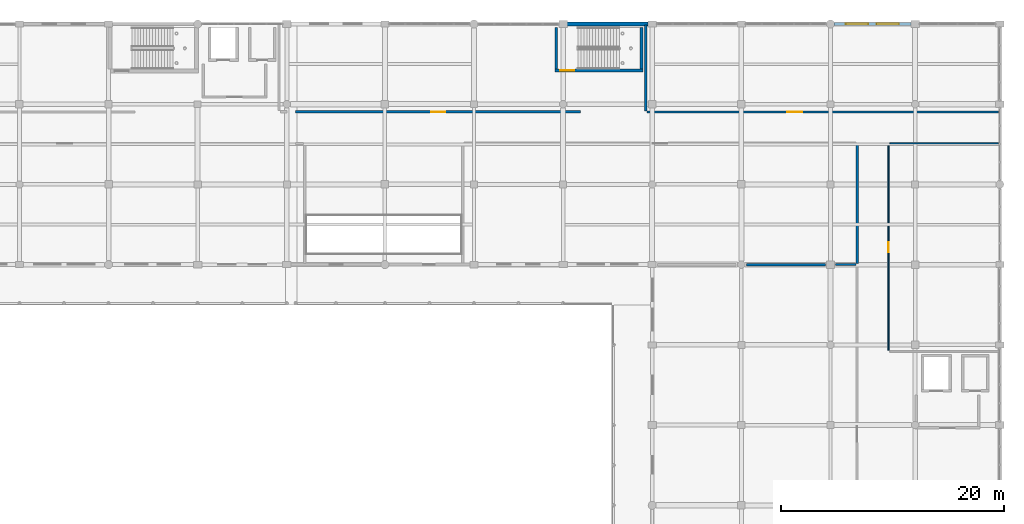
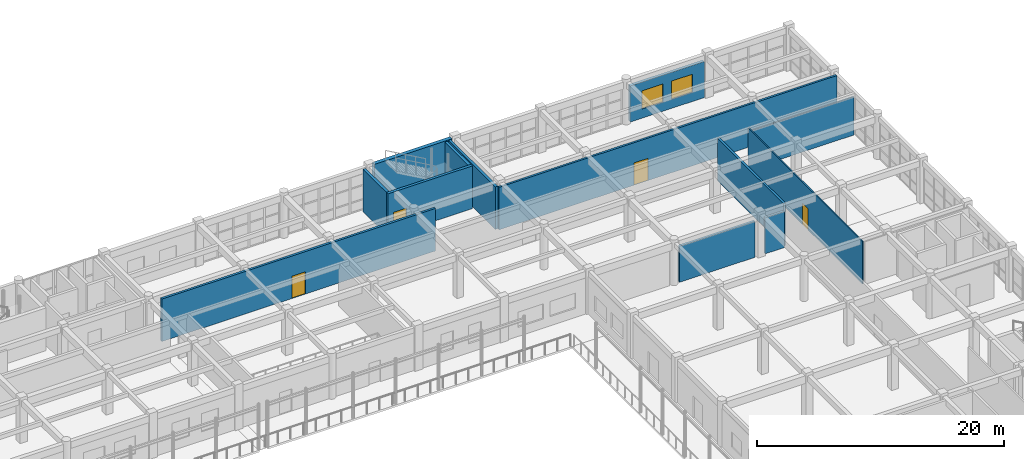
# One storey, part 137 of 160: 13 walls, 4 doors, 2 windows, 6 openings.
"""IFC4 building model written with IfcOpenShell, lengths in metres."""

from ifc_helpers import new_model, si_unit, direction, frame, frame_2d, origin, place, context, subcontext, project, spatial, rectangle, extrude, material, layer, layer_set, type_object, element, fill, save


model = new_model("IFC4")

# Units and contexts
model_context = context("Model", 3, precision=1e-05, world=origin(), true_north=direction((0.0, 1.0)))
body_context = subcontext(model_context, "Body", "Model", "MODEL_VIEW")
ifc_project = project(units=[si_unit("LENGTHUNIT", "METRE"), si_unit("AREAUNIT", "SQUARE_METRE"), si_unit("VOLUMEUNIT", "CUBIC_METRE"), si_unit("PLANEANGLEUNIT", "RADIAN"), si_unit("MASSUNIT", "GRAM", prefix="KILO")], contexts=[model_context])

# Site, building, storey
site_placement = place(None, origin())
site = spatial("IfcSite", under=ifc_project, at=site_placement, CompositionType="ELEMENT")
building_placement = place(site_placement, origin())
building = spatial("IfcBuilding", under=site, at=building_placement, Name="Kharva Crest Polytechnic", CompositionType="ELEMENT")
storey_placement = place(building_placement, frame((0.0, 0.0, 4.5)))
storey = spatial("IfcBuildingStorey", under=building, at=storey_placement, Name="L01", CompositionType="ELEMENT", Elevation=4.5)

# Wall, openings, windows
ifc_material_1 = material(Name="Kiln brick masonry", Category="masonry")
ifc_layer_1 = layer(ifc_material_1, 0.260009765625, Name="Kiln brick masonry")
ifc_layer_set_1 = layer_set([ifc_layer_1], Name="Kiln brick masonry")
wall_type_1 = type_object("IfcWallType", Name="WL-EXT-BRK-260", PredefinedType="SOLIDWALL", material=ifc_layer_set_1)
wall_1_placement = place(storey_placement, frame((176.030029296875, 122.0, 0.0), z_axis=(0.0, 0.0, 1.0), x_axis=(-1.0, 0.0, 0.0)))
wall_1 = element("IfcWall", 1, at=wall_1_placement, inside=storey, type_object=wall_type_1, Name="L01 Exterior Brick Wall 202", PredefinedType="SOLIDWALL", context=body_context, shape_type="SweptSolid", body=[
    extrude(rectangle(XDim=6.927734375, YDim=0.260009765625, at=frame_2d((3.4638671875, 0.0))), origin(), (0.0, 0.0, 1.0), 3.570068359375),
])
opening_1_placement = place(wall_1_placement, frame((1.0830078125, 0.0, 0.89990234375)))
opening_1 = element("IfcOpeningElement", 2, at=opening_1_placement, cuts=wall_1, Name="Opening W04", PredefinedType="OPENING", context=body_context, shape_type="SweptSolid", body=[
    extrude(rectangle(XDim=2.0, YDim=1.800048828125, at=frame_2d((1.0, 0.89990234375))), frame((0.0, 0.139892578125, 0.0), z_axis=(0.0, -1.0, 0.0), x_axis=(1.0, 0.0, 0.0)), (0.0, 0.0, 1.0), 0.280029296875),
])
opening_2_placement = place(wall_1_placement, frame((3.844970703125, 0.0, 0.89990234375)))
opening_2 = element("IfcOpeningElement", 3, at=opening_2_placement, cuts=wall_1, Name="Opening W04", PredefinedType="OPENING", context=body_context, shape_type="SweptSolid", body=[
    extrude(rectangle(XDim=2.0, YDim=1.800048828125, at=frame_2d((1.0, 0.89990234375))), frame((0.0, 0.139892578125, 0.0), z_axis=(0.0, -1.0, 0.0), x_axis=(1.0, 0.0, 0.0)), (0.0, 0.0, 1.0), 0.280029296875),
])
ifc_material_2 = material(Name="Anodised aluminium", Category="aluminium")
window_type = type_object("IfcWindowType", Name="WIN-ALU-2000X1800", PartitioningType="SINGLE_PANEL", PredefinedType="WINDOW", material=ifc_material_2)
window_1_placement = place(opening_1_placement, origin())
window_1 = element("IfcWindow", 4, at=window_1_placement, inside=storey, type_object=window_type, Name="L01 Exterior Window 266", OverallHeight=1.800048828125, OverallWidth=2.0, PartitioningType="SINGLE_PANEL", PredefinedType="WINDOW", context=body_context, shape_type="SweptSolid", body=[
    extrude(rectangle(XDim=2.0, YDim=1.800048828125, at=frame_2d((1.0, 0.89990234375))), frame((0.0, 0.030029296875, 0.0), z_axis=(0.0, -1.0, 0.0), x_axis=(1.0, 0.0, 0.0)), (0.0, 0.0, 1.0), 0.06005859375),
])
fill(opening_1, window_1)
window_2_placement = place(opening_2_placement, origin())
window_2 = element("IfcWindow", 5, at=window_2_placement, inside=storey, type_object=window_type, Name="L01 Exterior Window 267", OverallHeight=1.800048828125, OverallWidth=2.0, PartitioningType="SINGLE_PANEL", PredefinedType="WINDOW", context=body_context, shape_type="SweptSolid", body=[
    extrude(rectangle(XDim=2.0, YDim=1.800048828125, at=frame_2d((1.0, 0.89990234375))), frame((0.0, 0.030029296875, 0.0), z_axis=(0.0, -1.0, 0.0), x_axis=(1.0, 0.0, 0.0)), (0.0, 0.0, 1.0), 0.06005859375),
])
fill(opening_2, window_2)

# Wall
ifc_layer_2 = layer(ifc_material_1, 0.35009765625, Name="Kiln brick masonry")
ifc_layer_set_2 = layer_set([ifc_layer_2], Name="Kiln brick masonry")
wall_type_2 = type_object("IfcWallType", Name="WL-EXT-BRK-350", PredefinedType="SOLIDWALL", material=ifc_layer_set_2)
wall_2_placement = place(storey_placement, frame((152.429931640625, 122.0, 0.0), z_axis=(0.0, 0.0, 1.0), x_axis=(-1.0, 0.0, 0.0)))
element("IfcWall", 6, at=wall_2_placement, inside=storey, type_object=wall_type_2, Name="L01 Exterior Brick Wall 203", PredefinedType="SOLIDWALL", context=body_context, shape_type="SweptSolid", body=[
    extrude(rectangle(XDim=7.260009765625, YDim=0.35009765625, at=frame_2d((3.6298828125, 0.0))), origin(), (0.0, 0.0, 1.0), 4.219970703125),
])

# Wall, opening, door
ifc_layer_3 = layer(ifc_material_1, 0.110107421875, Name="Kiln brick masonry")
ifc_layer_set_3 = layer_set([ifc_layer_3], Name="Kiln brick masonry")
wall_type_3 = type_object("IfcWallType", Name="WL-PART-110", PredefinedType="PARTITIONING", material=ifc_layer_set_3)
wall_3_placement = place(storey_placement, frame((174.010009765625, 92.7099609375, 0.0), z_axis=(0.0, 0.0, 1.0), x_axis=(0.0, 1.0, 0.0)))
wall_3 = element("IfcWall", 7, at=wall_3_placement, inside=storey, type_object=wall_type_3, Name="L01 Interior Partition 197", PredefinedType="PARTITIONING", context=body_context, shape_type="SweptSolid", body=[
    extrude(rectangle(XDim=18.47998046875, YDim=0.110107421875, at=frame_2d((9.239990234375, 0.0))), origin(), (0.0, 0.0, 1.0), 4.199951171875),
])
opening_3_placement = place(wall_3_placement, frame((8.784912109375, 0.0, 0.0)))
opening_3 = element("IfcOpeningElement", 8, at=opening_3_placement, cuts=wall_3, Name="Opening ID15", PredefinedType="OPENING", context=body_context, shape_type="SweptSolid", body=[
    extrude(rectangle(XDim=0.909912109375, YDim=2.10009765625, at=frame_2d((0.455078125, 1.050048828125))), frame((0.0, 0.06494140625, 0.0), z_axis=(0.0, -1.0, 0.0), x_axis=(1.0, 0.0, 0.0)), (0.0, 0.0, 1.0), 0.130126953125),
])
ifc_material_3 = material(Name="Teak timber", Category="wood")
door_type_1 = type_object("IfcDoorType", Name="DR-WC-910X2100", OperationType="NOTDEFINED", PredefinedType="DOOR", material=ifc_material_3)
door_1_placement = place(opening_3_placement, origin())
door_1 = element("IfcDoor", 9, at=door_1_placement, inside=storey, type_object=door_type_1, Name="L01 North East Washrooms and Accessible WC L01 Door", OperationType="SINGLE_SWING_LEFT", OverallHeight=2.10009765625, OverallWidth=0.909912109375, PredefinedType="DOOR", context=body_context, shape_type="SweptSolid", body=[
    extrude(rectangle(XDim=0.909912109375, YDim=2.10009765625, at=frame_2d((0.455078125, 1.050048828125))), frame((0.0, 0.02490234375, 0.0), z_axis=(0.0, -1.0, 0.0), x_axis=(1.0, 0.0, 0.0)), (0.0, 0.0, 1.0), 0.050048828125),
])
fill(opening_3, door_1)

# Walls
ifc_layer_4 = layer(ifc_material_1, 0.1201171875, Name="Kiln brick masonry")
ifc_layer_set_4 = layer_set([ifc_layer_4], Name="Kiln brick masonry")
wall_type_4 = type_object("IfcWallType", Name="WL-PART-120", PredefinedType="PARTITIONING", material=ifc_layer_set_4)
wall_4_placement = place(storey_placement, frame((174.1201171875, 111.300048828125, 0.0), z_axis=(0.0, 0.0, 1.0), x_axis=(1.0, 0.0, 0.0)))
element("IfcWall", 10, at=wall_4_placement, inside=storey, type_object=wall_type_4, Name="L01 Interior Partition 196", PredefinedType="PARTITIONING", context=body_context, shape_type="SweptSolid", body=[
    extrude(rectangle(XDim=9.769775390625, YDim=0.1201171875, at=frame_2d((4.884765625, 0.0))), origin(), (0.0, 0.0, 1.0), 3.780029296875),
])
ifc_layer_5 = layer(ifc_material_1, 0.18994140625, Name="Kiln brick masonry")
ifc_layer_set_5 = layer_set([ifc_layer_5], Name="Kiln brick masonry")
wall_type_5 = type_object("IfcWallType", Name="WL-PART-190", PredefinedType="PARTITIONING", material=ifc_layer_set_5)
wall_5_placement = place(storey_placement, frame((169.27001953125, 100.39990234375, 0.0), z_axis=(0.0, 0.0, 1.0), x_axis=(1.0, 0.0, 0.0)))
element("IfcWall", 11, at=wall_5_placement, inside=storey, type_object=wall_type_5, Name="L01 Interior Partition 179", PredefinedType="PARTITIONING", context=body_context, shape_type="SweptSolid", body=[
    extrude(rectangle(XDim=1.81005859375, YDim=0.18994140625, at=frame_2d((0.905029296875, 0.0))), origin(), (0.0, 0.0, 1.0), 3.570068359375),
])

# Wall, opening, door
wall_6_placement = place(storey_placement, frame((152.31005859375, 114.10009765625, 0.0), z_axis=(0.0, 0.0, 1.0), x_axis=(1.0, 0.0, 0.0)))
wall_6 = element("IfcWall", 12, at=wall_6_placement, inside=storey, type_object=wall_type_5, Name="L01 Interior Partition 187", PredefinedType="PARTITIONING", context=body_context, shape_type="SweptSolid", body=[
    extrude(rectangle(XDim=31.579833984375, YDim=0.18994140625, at=frame_2d((15.7900390625, 0.0))), origin(), (0.0, 0.0, 1.0), 4.199951171875),
])
opening_4_placement = place(wall_6_placement, frame((12.589111328125, 0.0, 0.0)))
opening_4 = element("IfcOpeningElement", 13, at=opening_4_placement, cuts=wall_6, Name="Opening ID6", PredefinedType="OPENING", context=body_context, shape_type="SweptSolid", body=[
    extrude(rectangle(XDim=1.35009765625, YDim=2.199951171875, at=frame_2d((0.675048828125, 1.10009765625))), frame((0.0, 0.10498046875, 0.0), z_axis=(0.0, -1.0, 0.0), x_axis=(1.0, 0.0, 0.0)), (0.0, 0.0, 1.0), 0.2099609375),
])
door_type_2 = type_object("IfcDoorType", Name="DR-LAB-1350X2200", OperationType="NOTDEFINED", PredefinedType="DOOR", material=ifc_material_3)
door_2_placement = place(opening_4_placement, origin())
door_2 = element("IfcDoor", 14, at=door_2_placement, inside=storey, type_object=door_type_2, Name="L01 Instrumentation Laboratory Door", OperationType="SINGLE_SWING_RIGHT", OverallHeight=2.199951171875, OverallWidth=1.35009765625, PredefinedType="DOOR", context=body_context, shape_type="SweptSolid", body=[
    extrude(rectangle(XDim=1.35009765625, YDim=2.199951171875, at=frame_2d((0.675048828125, 1.10009765625))), frame((0.0, 0.02490234375, 0.0), z_axis=(0.0, -1.0, 0.0), x_axis=(1.0, 0.0, 0.0)), (0.0, 0.0, 1.0), 0.050048828125),
])
fill(opening_4, door_2)

# Walls
ifc_layer_6 = layer(ifc_material_1, 0.205078125, Name="Kiln brick masonry")
ifc_layer_set_6 = layer_set([ifc_layer_6], Name="Kiln brick masonry")
wall_type_6 = type_object("IfcWallType", Name="WL-PART-205", PredefinedType="PARTITIONING", material=ifc_layer_set_6)
wall_7_placement = place(storey_placement, frame((161.260009765625, 100.39990234375, 0.0), z_axis=(0.0, 0.0, 1.0), x_axis=(1.0, 0.0, 0.0)))
element("IfcWall", 15, at=wall_7_placement, inside=storey, type_object=wall_type_6, Name="L01 Interior Partition 178", PredefinedType="PARTITIONING", context=body_context, shape_type="SweptSolid", body=[
    extrude(rectangle(XDim=7.070068359375, YDim=0.205078125, at=frame_2d((3.53515625, 0.0))), origin(), (0.0, 0.0, 1.0), 3.56005859375),
])
wall_8_placement = place(storey_placement, frame((171.18994140625, 100.510009765625, 0.0), z_axis=(0.0, 0.0, 1.0), x_axis=(0.0, 1.0, 0.0)))
element("IfcWall", 16, at=wall_8_placement, inside=storey, type_object=wall_type_6, Name="L01 Interior Partition 182", PredefinedType="PARTITIONING", context=body_context, shape_type="SweptSolid", body=[
    extrude(rectangle(XDim=10.669921875, YDim=0.205078125, at=frame_2d((5.3349609375, 0.0))), origin(), (0.0, 0.0, 1.0), 4.199951171875),
])

# Wall, opening, door
ifc_layer_7 = layer(ifc_material_1, 0.215087890625, Name="Kiln brick masonry")
ifc_layer_set_7 = layer_set([ifc_layer_7], Name="Kiln brick masonry")
wall_type_7 = type_object("IfcWallType", Name="WL-PART-215", PredefinedType="PARTITIONING", material=ifc_layer_set_7)
wall_9_placement = place(storey_placement, frame((120.800048828125, 114.110107421875, 0.0), z_axis=(0.0, 0.0, 1.0), x_axis=(1.0, 0.0, 0.0)))
wall_9 = element("IfcWall", 17, at=wall_9_placement, inside=storey, type_object=wall_type_7, Name="L01 Interior Partition 185 E", PredefinedType="PARTITIONING", context=body_context, shape_type="SweptSolid", body=[
    extrude(rectangle(XDim=25.579833984375, YDim=0.215087890625, at=frame_2d((12.7900390625, 0.0))), origin(), (0.0, 0.0, 1.0), 4.199951171875),
])
opening_5_placement = place(wall_9_placement, frame((12.14990234375, 0.0, 0.0)))
opening_5 = element("IfcOpeningElement", 18, at=opening_5_placement, cuts=wall_9, Name="Opening ID7", PredefinedType="OPENING", context=body_context, shape_type="SweptSolid", body=[
    extrude(rectangle(XDim=1.280029296875, YDim=2.199951171875, at=frame_2d((0.64013671875, 1.10009765625))), frame((0.0, 0.117431640625, 0.0), z_axis=(0.0, -1.0, 0.0), x_axis=(1.0, 0.0, 0.0)), (0.0, 0.0, 1.0), 0.235107421875),
])
door_type_3 = type_object("IfcDoorType", Name="DR-LAB-1280X2200", OperationType="NOTDEFINED", PredefinedType="DOOR", material=ifc_material_3)
door_3_placement = place(opening_5_placement, origin())
door_3 = element("IfcDoor", 19, at=door_3_placement, inside=storey, type_object=door_type_3, Name="L01 Bioprocess Laboratory Door", OperationType="SINGLE_SWING_LEFT", OverallHeight=2.199951171875, OverallWidth=1.280029296875, PredefinedType="DOOR", context=body_context, shape_type="SweptSolid", body=[
    extrude(rectangle(XDim=1.280029296875, YDim=2.199951171875, at=frame_2d((0.64013671875, 1.10009765625))), frame((0.0, 0.02490234375, 0.0), z_axis=(0.0, -1.0, 0.0), x_axis=(1.0, 0.0, 0.0)), (0.0, 0.0, 1.0), 0.050048828125),
])
fill(opening_5, door_3)

# Wall
ifc_layer_8 = layer(ifc_material_1, 0.22509765625, Name="Kiln brick masonry")
ifc_layer_set_8 = layer_set([ifc_layer_8], Name="Kiln brick masonry")
wall_type_8 = type_object("IfcWallType", Name="WL-PART-225", PredefinedType="PARTITIONING", material=ifc_layer_set_8)
wall_10_placement = place(storey_placement, frame((152.199951171875, 114.2099609375, 0.0), z_axis=(0.0, 0.0, 1.0), x_axis=(0.0, 1.0, 0.0)))
element("IfcWall", 20, at=wall_10_placement, inside=storey, type_object=wall_type_8, Name="L01 Interior Partition 188", PredefinedType="PARTITIONING", context=body_context, shape_type="SweptSolid", body=[
    extrude(rectangle(XDim=7.679931640625, YDim=0.22509765625, at=frame_2d((3.83984375, 0.0))), origin(), (0.0, 0.0, 1.0), 4.199951171875),
])

# Wall, opening, door
ifc_material_4 = material(Name="Concrete C40/50", Category="concrete")
ifc_layer_9 = layer(ifc_material_4, 0.25, Name="Concrete C40/50")
ifc_layer_set_9 = layer_set([ifc_layer_9], Name="Concrete C40/50")
wall_type_9 = type_object("IfcWallType", Name="WL-SHEAR-SW1-250", PredefinedType="SHEAR", material=ifc_layer_set_9)
wall_11_placement = place(storey_placement, frame((144.050048828125, 117.81494140625, 0.0), z_axis=(0.0, 0.0, 1.0), x_axis=(1.0, 0.0, 0.0)))
wall_11 = element("IfcWall", 21, at=wall_11_placement, inside=storey, type_object=wall_type_9, Name="L01 North-East Library Wing Stair C9 South Shear Wall", PredefinedType="SHEAR", context=body_context, shape_type="SweptSolid", body=[
    extrude(rectangle(XDim=7.89990234375, YDim=0.25, at=frame_2d((3.949951171875, 0.0))), origin(), (0.0, 0.0, 1.0), 4.219970703125),
])
opening_6_placement = place(wall_11_placement, frame((0.5, 0.0, 0.0)))
opening_6 = element("IfcOpeningElement", 22, at=opening_6_placement, cuts=wall_11, Name="Opening FD1B", PredefinedType="OPENING", context=body_context, shape_type="SweptSolid", body=[
    extrude(rectangle(XDim=1.25, YDim=2.199951171875, at=frame_2d((0.625, 1.10009765625))), frame((0.0, 0.135009765625, 0.0), z_axis=(0.0, -1.0, 0.0), x_axis=(1.0, 0.0, 0.0)), (0.0, 0.0, 1.0), 0.27001953125),
])
door_type_4 = type_object("IfcDoorType", Name="DR-STAIR-1250X2200", OperationType="NOTDEFINED", PredefinedType="DOOR", material=ifc_material_3)
door_4_placement = place(opening_6_placement, origin())
door_4 = element("IfcDoor", 23, at=door_4_placement, inside=storey, type_object=door_type_4, Name="L01 ST-09 Stair Door", OperationType="SINGLE_SWING_LEFT", OverallHeight=2.199951171875, OverallWidth=1.25, PredefinedType="DOOR", context=body_context, shape_type="SweptSolid", body=[
    extrude(rectangle(XDim=1.25, YDim=2.199951171875, at=frame_2d((0.625, 1.10009765625))), frame((0.0, 0.02490234375, 0.0), z_axis=(0.0, -1.0, 0.0), x_axis=(1.0, 0.0, 0.0)), (0.0, 0.0, 1.0), 0.050048828125),
])
fill(opening_6, door_4)

# Walls
for number, where, z_axis, x_axis, name in (
    (24, (144.175048828125, 117.93994140625, 0.0), (0.0, 0.0, 1.0), (0.0, 1.0, 0.0), "L01 North-East Library Wing Stair C9 West Shear Wall"),
    (25, (151.824951171875, 117.93994140625, 0.0), (0.0, 0.0, 1.0), (0.0, 1.0, 0.0), "L01 North-East Library Wing Stair C9 East Shear Wall"),
):
    element("IfcWall", number, at=place(storey_placement, frame(where, z_axis=z_axis, x_axis=x_axis)), inside=storey, type_object=wall_type_9, Name=name, PredefinedType="SHEAR", context=body_context, shape_type="SweptSolid", body=[
        extrude(rectangle(XDim=3.760009765625, YDim=0.25, at=frame_2d((1.8798828125, 0.0))), origin(), (0.0, 0.0, 1.0), 4.219970703125),
    ])

save(model, "model.ifc")
